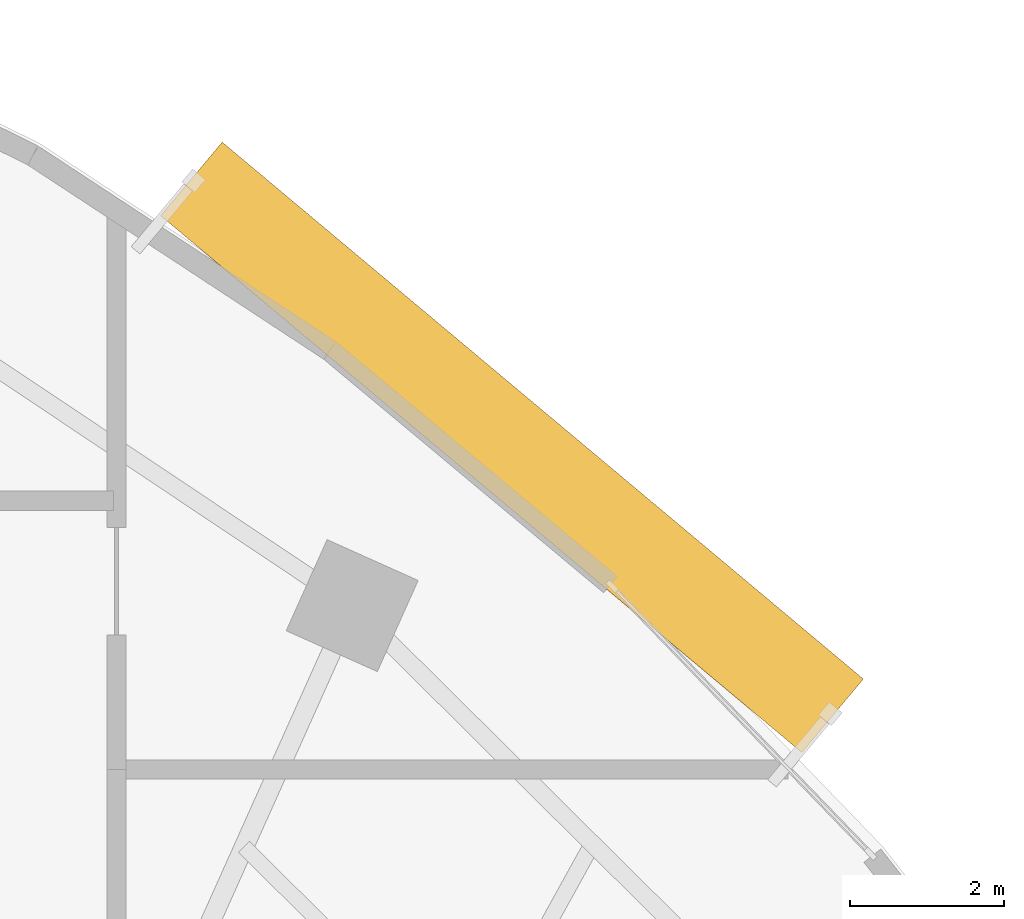
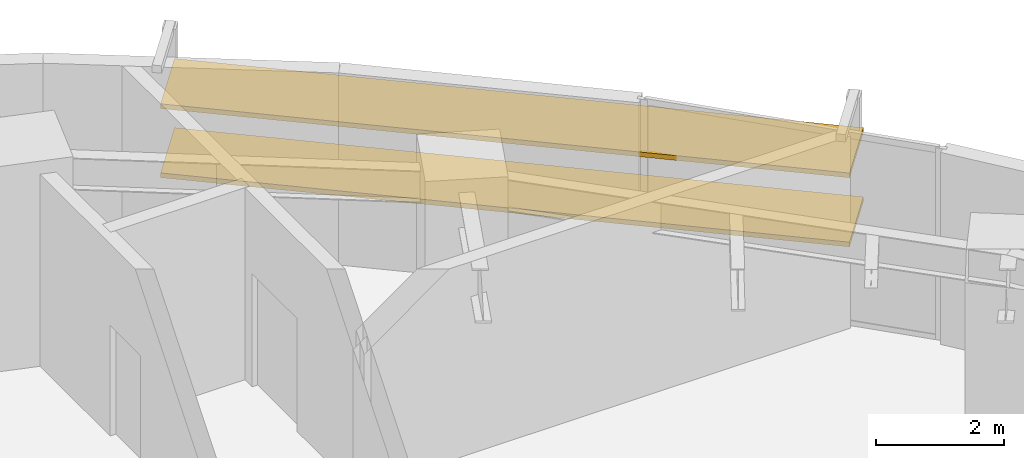
# One storey, part 14 of 14: 2 shading devices.
"""IFC4 building model written with IfcOpenShell, lengths in metres."""

from ifc_helpers import new_model, si_unit, direction, frame, origin, origin_2d, place, context, subcontext, project, spatial, rectangle, extrude, source, transform, mapped, material, material_profile, profile_set, type_object, element, save


model = new_model("IFC4")

# Units and contexts
model_context = context("Model", 3, precision=1e-05, world=origin(), true_north=direction((0.0, 1.0)))
body_context = subcontext(model_context, "Body", "Model", "MODEL_VIEW")
ifc_project = project(units=[si_unit("LENGTHUNIT", "METRE"), si_unit("AREAUNIT", "SQUARE_METRE"), si_unit("VOLUMEUNIT", "CUBIC_METRE"), si_unit("PLANEANGLEUNIT", "RADIAN"), si_unit("MASSUNIT", "GRAM", prefix="KILO")], contexts=[model_context])

# Site, building, storey
site_placement = place(None, origin())
site = spatial("IfcSite", under=ifc_project, at=site_placement, CompositionType="ELEMENT")
building_placement = place(site_placement, origin())
building = spatial("IfcBuilding", under=site, at=building_placement, Name="Breltana Convention Tower", CompositionType="ELEMENT")
storey_placement = place(building_placement, frame((0.0, 0.0, 119.39990234375)))
storey = spatial("IfcBuildingStorey", under=building, at=storey_placement, Name="L28", CompositionType="ELEMENT", Elevation=119.39990234375)

# Shading devices
ifc_material = material(Name="Limestone Warm Buff Honed", Category="masonry")
ifc_material_profile = material_profile(ifc_material, rectangle(XDim=1.25, YDim=0.090087890625, at=origin_2d()), Name="STN-LVR-1250X90")
ifc_profile_set = profile_set([ifc_material_profile], Name="Limestone Warm Buff Honed")
shading_device_type = type_object("IfcShadingDeviceType", Name="SHD-OUTER-SKIN-LIMESTONE-1250", PredefinedType="JALOUSIE", material=ifc_profile_set)
shared_shape = source(origin(), body_context, "Body", "SweptSolid", [
    extrude(rectangle(XDim=1.25, YDim=0.090087890625, at=origin_2d()), origin(), (0.0, 0.0, 1.0), 10.892333984375),
])
for number, where, z_axis, x_axis, name in (
    (1, (66.81591796875, 74.190673828125, 1.314208984375), (0.766718160057, -0.641983849515, 0.0), (0.641983849515, 0.766718160057, 0.0), "L28 outer skin warm limestone louvre 2.1"),
    (2, (66.81591796875, 74.190673828125, 2.628173828125), (0.766718160057, -0.641983849515, 0.0), (0.641983849515, 0.766718160057, 0.0), "L28 outer skin warm limestone louvre 2.2"),
):
    element("IfcShadingDevice", number, at=place(storey_placement, frame(where, z_axis=z_axis, x_axis=x_axis)), inside=storey, type_object=shading_device_type, Name=name, PredefinedType="JALOUSIE", context=body_context, shape_type="MappedRepresentation", body=[
        mapped(shared_shape, transform((0.0, 0.0, 0.0), scale=1.0)),
    ])

save(model, "model.ifc")
